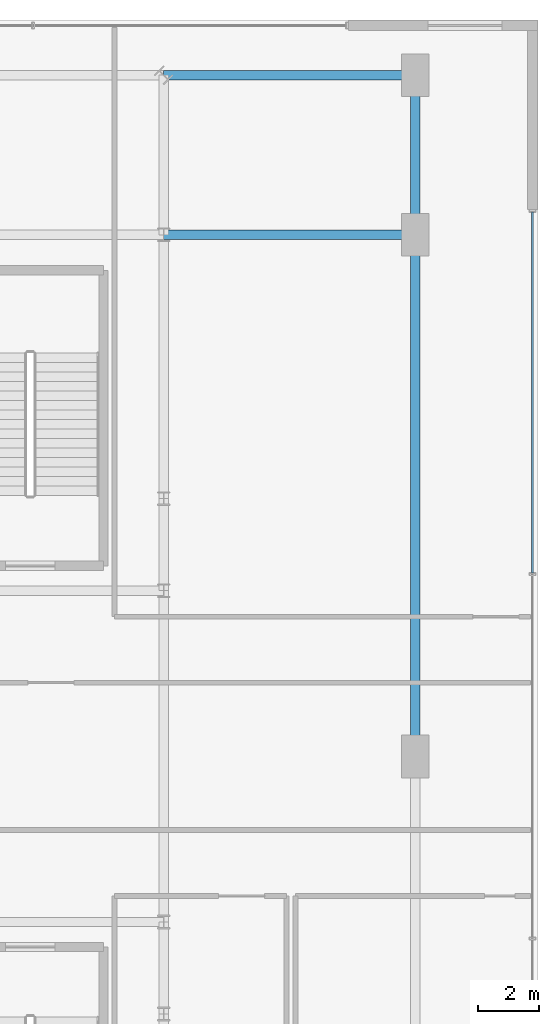
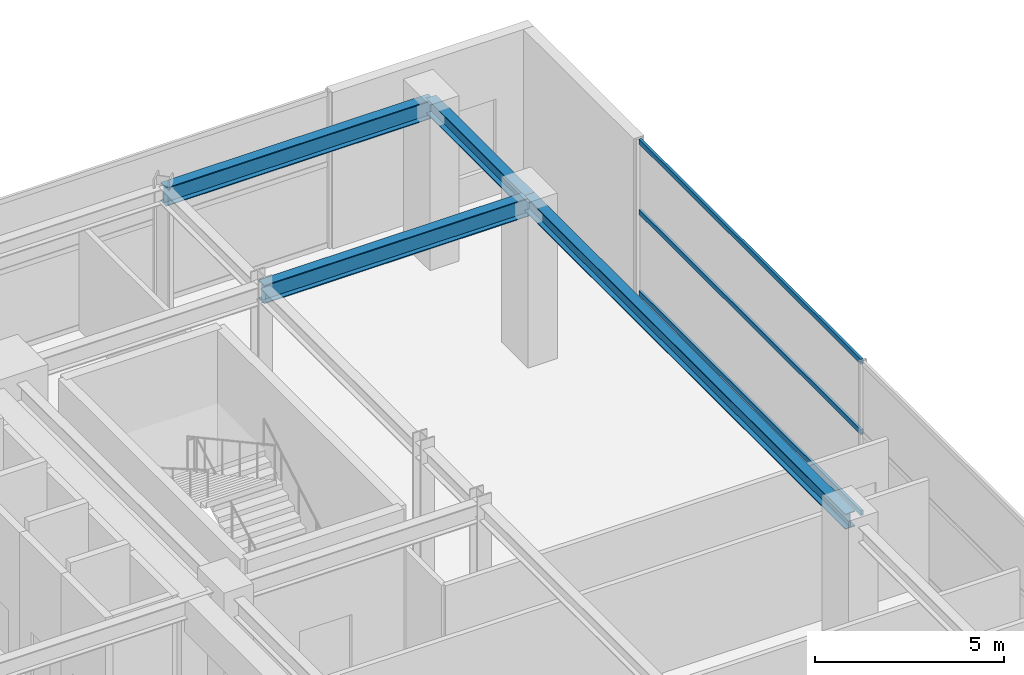
# One storey, part 24 of 32: 4 beams, 3 members, 1 element without a shape of its own.
"""IFC4 building model written with IfcOpenShell, lengths in metres."""

from ifc_helpers import new_model, si_unit, direction, frame, origin, origin_2d, place, context, subcontext, project, spatial, hollow_rectangle, i_section, extrude, source, transform, mapped, material, material_profile, profile_set, type_object, element, aggregate, save


model = new_model("IFC4")

# Units and contexts
model_context = context("Model", 3, precision=1e-05, world=origin(), true_north=direction((0.0, 1.0)))
body_context = subcontext(model_context, "Body", "Model", "MODEL_VIEW")
ifc_project = project(units=[si_unit("LENGTHUNIT", "METRE"), si_unit("AREAUNIT", "SQUARE_METRE"), si_unit("VOLUMEUNIT", "CUBIC_METRE"), si_unit("PLANEANGLEUNIT", "RADIAN"), si_unit("MASSUNIT", "GRAM", prefix="KILO")], contexts=[model_context])

# Site, building, storey
site_placement = place(None, origin())
site = spatial("IfcSite", under=ifc_project, at=site_placement, CompositionType="ELEMENT")
building_placement = place(site_placement, origin())
building = spatial("IfcBuilding", under=site, at=building_placement, Name="Nahalor Promenade Grand Hotel", CompositionType="ELEMENT")
storey_placement = place(building_placement, frame((0.0, 0.0, 10.800048828125)))
storey = spatial("IfcBuildingStorey", under=building, at=storey_placement, Name="L02", CompositionType="ELEMENT", Elevation=10.800048828125)

# Beams
ifc_material_1 = material(Name="Steel S355JR", Category="steel")
ifc_material_profile_1 = material_profile(ifc_material_1, i_section(OverallWidth=0.3, OverallDepth=0.6, WebThickness=0.0155, FlangeThickness=0.03, at=origin_2d()), Name="HEB 600")
ifc_profile_set_1 = profile_set([ifc_material_profile_1], Name="Steel S355JR")
beam_type_1 = type_object("IfcBeamType", Name="Beam-Girder-HEB600", PredefinedType="BEAM", material=ifc_profile_set_1)
shared_shape_1 = source(origin(), body_context, "Body", "SweptSolid", [
    extrude(i_section(OverallWidth=0.3, OverallDepth=0.6, WebThickness=0.0155, FlangeThickness=0.03, at=origin_2d()), origin(), (0.0, 0.0, 1.0), 8.199951171875),
])
for number, where, z_axis, x_axis, name in (
    (1, (24.800048828125, 17.0, 4.760009765625), (1.0, 0.0, 0.0), (0.0, 1.0, 0.0), "BM-L02-GX-3-8"),
    (2, (24.800048828125, 22.199951171875, 4.760009765625), (1.0, 0.0, 0.0), (0.0, 1.0, 0.0), "BM-L02-TIE-PE-+22"),
):
    element("IfcBeam", number, at=place(storey_placement, frame(where, z_axis=z_axis, x_axis=x_axis)), inside=storey, type_object=beam_type_1, Name=name, PredefinedType="BEAM", context=body_context, shape_type="MappedRepresentation", body=[
        mapped(shared_shape_1, transform((0.0, 0.0, 0.0), scale=1.0)),
    ])
ifc_material_profile_2 = material_profile(ifc_material_1, i_section(OverallWidth=0.3, OverallDepth=0.5, WebThickness=0.0145, FlangeThickness=0.028, at=origin_2d()), Name="HEB 500")
ifc_profile_set_2 = profile_set([ifc_material_profile_2], Name="Steel S355JR")
beam_type_2 = type_object("IfcBeamType", Name="Beam-Spandrel-HEB500", PredefinedType="SPANDREL", material=ifc_profile_set_2)
shared_shape_2 = source(origin(), body_context, "Body", "SweptSolid", [
    extrude(i_section(OverallWidth=0.3, OverallDepth=0.5, WebThickness=0.0145, FlangeThickness=0.028, at=origin_2d()), origin(), (0.0, 0.0, 1.0), 5.199951171875),
])
beam_1_placement = place(storey_placement, frame((33.0, 17.0, 4.81005859375), z_axis=(0.0, 1.0, 0.0), x_axis=(-1.0, 0.0, 0.0)))
element("IfcBeam", 3, at=beam_1_placement, inside=storey, type_object=beam_type_2, Name="BM-L02-PE-3", PredefinedType="SPANDREL", context=body_context, shape_type="MappedRepresentation", body=[
    mapped(shared_shape_2, transform((0.0, 0.0, 0.0), scale=1.0)),
])
shared_shape_3 = source(origin(), body_context, "Body", "SweptSolid", [
    extrude(i_section(OverallWidth=0.3, OverallDepth=0.5, WebThickness=0.0145, FlangeThickness=0.028, at=origin_2d()), origin(), (0.0, 0.0, 1.0), 17.0),
])
beam_2_placement = place(storey_placement, frame((33.0, 0.0, 4.81005859375), z_axis=(0.0, 1.0, 0.0), x_axis=(-1.0, 0.0, 0.0)))
element("IfcBeam", 4, at=beam_2_placement, inside=storey, type_object=beam_type_2, Name="BM-L02-PE-2", PredefinedType="SPANDREL", context=body_context, shape_type="MappedRepresentation", body=[
    mapped(shared_shape_3, transform((0.0, 0.0, 0.0), scale=1.0)),
])

# Curtain wall, members
ifc_material_2 = material(Name="Anodised Bronze Aluminium EN AW-6063 T6", Category="aluminium")
curtain_wall_type = type_object("IfcCurtainWallType", Name="CW1 Waterfront Podium Bronze Arcade Curtain Wall", PredefinedType="USERDEFINED", material=ifc_material_2)
curtain_wall_placement = place(storey_placement, origin())
curtain_wall = element("IfcCurtainWall", 5, at=curtain_wall_placement, inside=storey, type_object=curtain_wall_type, Name="L02 Curtain Wall CW-L02-E", ObjectType="UNITISED_CURTAIN_WALL", PredefinedType="USERDEFINED")
ifc_material_profile_3 = material_profile(ifc_material_2, hollow_rectangle(XDim=0.08, YDim=0.16, WallThickness=0.004, at=origin_2d()), Name="CWT 80x160x4")
ifc_profile_set_3 = profile_set([ifc_material_profile_3], Name="Anodised Bronze Aluminium EN AW-6063 T6")
member_type = type_object("IfcMemberType", Name="CWT1 Podium Bronze Transom 80x160", PredefinedType="USERDEFINED", material=ifc_profile_set_3)
shared_shape_4 = source(origin(), body_context, "Body", "SweptSolid", [
    extrude(hollow_rectangle(XDim=0.08, YDim=0.16, WallThickness=0.004, at=origin_2d()), origin(), (0.0, 0.0, 1.0), 11.760009765625),
])
member_1_placement = place(storey_placement, frame((36.820068359375, 5.97998046875, 0.079833984375), z_axis=(0.0, 1.0, 0.0), x_axis=(-1.0, 0.0, 0.0)))
member_1 = element("IfcMember", 6, at=member_1_placement, type_object=member_type, Name="CW-L02-E Transom 2-0", ObjectType="TRANSOM", PredefinedType="USERDEFINED", context=body_context, shape_type="MappedRepresentation", body=[
    mapped(shared_shape_4, transform((0.0, 0.0, 0.0), scale=1.0)),
])
member_2_placement = place(storey_placement, frame((36.820068359375, 5.97998046875, 2.699951171875), z_axis=(0.0, 1.0, 0.0), x_axis=(-1.0, 0.0, 0.0)))
member_2 = element("IfcMember", 7, at=member_2_placement, type_object=member_type, Name="CW-L02-E Transom 2-1", ObjectType="TRANSOM", PredefinedType="USERDEFINED", context=body_context, shape_type="MappedRepresentation", body=[
    mapped(shared_shape_4, transform((0.0, 0.0, 0.0), scale=1.0)),
])
member_3_placement = place(storey_placement, frame((36.820068359375, 5.97998046875, 4.97998046875), z_axis=(0.0, 1.0, 0.0), x_axis=(-1.0, 0.0, 0.0)))
member_3 = element("IfcMember", 8, at=member_3_placement, type_object=member_type, Name="CW-L02-E Transom 2-2", ObjectType="TRANSOM", PredefinedType="USERDEFINED", context=body_context, shape_type="MappedRepresentation", body=[
    mapped(shared_shape_4, transform((0.0, 0.0, 0.0), scale=1.0)),
])
aggregate(curtain_wall, [member_1, member_2, member_3])

save(model, "model.ifc")
